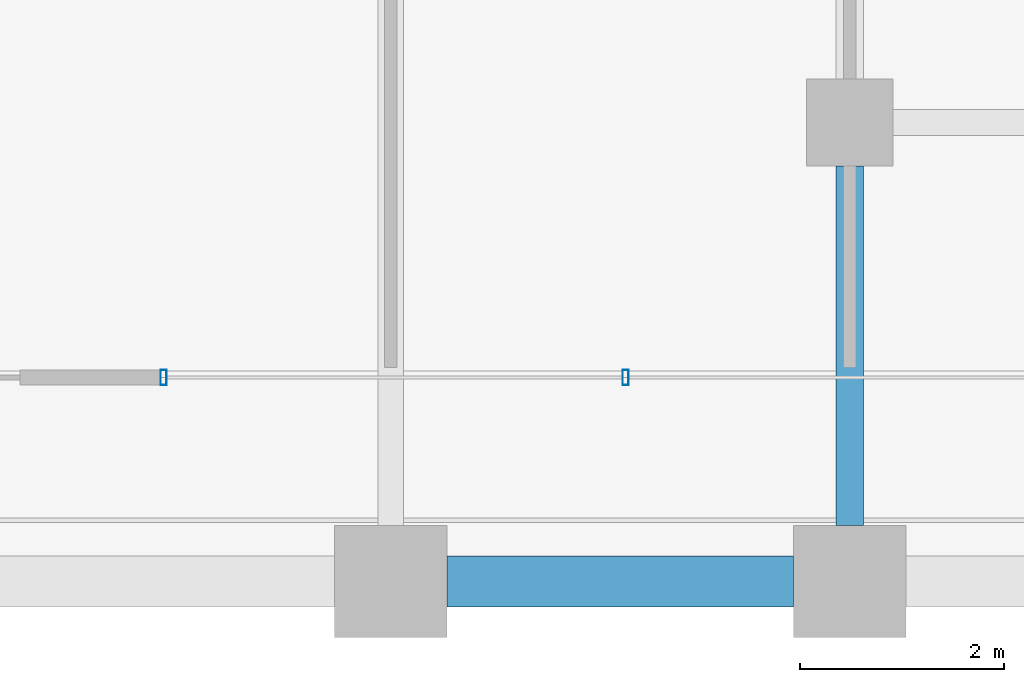
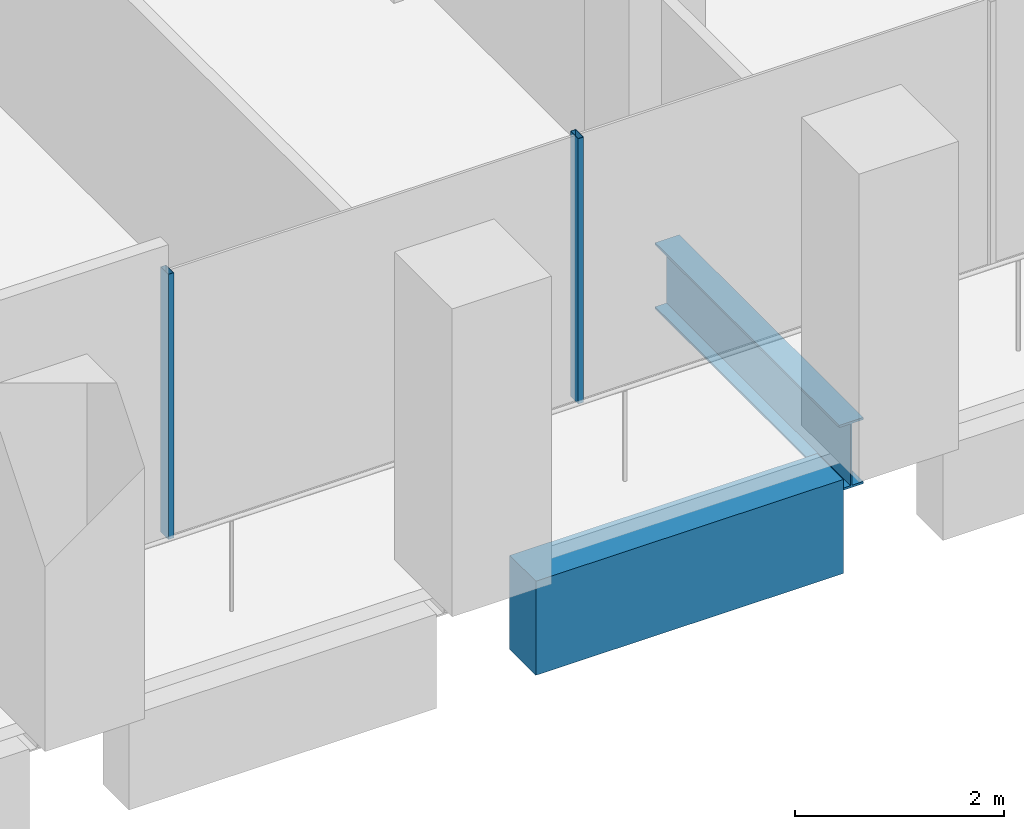
# One storey, part 9 of 56: 2 beams, 2 members, 1 element without a shape of its own.
"""IFC4 building model written with IfcOpenShell, lengths in metres."""

from ifc_helpers import new_model, si_unit, direction, frame, origin, origin_2d, place, context, subcontext, project, spatial, rectangle, hollow_rectangle, i_section, extrude, material, material_profile, profile_set, type_object, element, aggregate, save


model = new_model("IFC4")

# Units and contexts
model_context = context("Model", 3, precision=1e-05, world=origin(), true_north=direction((0.0, 1.0)))
body_context = subcontext(model_context, "Body", "Model", "MODEL_VIEW")
ifc_project = project(units=[si_unit("LENGTHUNIT", "METRE"), si_unit("AREAUNIT", "SQUARE_METRE"), si_unit("VOLUMEUNIT", "CUBIC_METRE"), si_unit("PLANEANGLEUNIT", "RADIAN"), si_unit("MASSUNIT", "GRAM", prefix="KILO")], contexts=[model_context])

# Site, building, storey
site_placement = place(None, origin())
site = spatial("IfcSite", under=ifc_project, at=site_placement, CompositionType="ELEMENT")
building_placement = place(site_placement, origin())
building = spatial("IfcBuilding", under=site, at=building_placement, Name="Altepetl Exchange Towers", CompositionType="ELEMENT")
storey_placement = place(building_placement, frame((0.0, 0.0, 51.0)))
storey = spatial("IfcBuildingStorey", under=building, at=storey_placement, Name="L11", CompositionType="ELEMENT", Elevation=51.0)

# Beam
ifc_material_1 = material(Name="Steel S355", Category="steel")
ifc_material_profile_1 = material_profile(ifc_material_1, i_section(OverallWidth=0.26806640625, OverallDepth=0.77392578125, WebThickness=0.015380859375, FlangeThickness=0.025390625, at=origin_2d()), Name="W30X132")
ifc_profile_set_1 = profile_set([ifc_material_profile_1], Name="Steel S355")
beam_type_1 = type_object("IfcBeamType", Name="Girder W30X132", PredefinedType="BEAM", material=ifc_profile_set_1)
beam_1_placement = place(storey_placement, frame((58.5, 31.074951171875, -0.537109375), z_axis=(0.0, -1.0, 0.0), x_axis=(1.0, 0.0, 0.0)))
element("IfcBeam", 1, at=beam_1_placement, inside=storey, type_object=beam_type_1, Name="gd:A:L11:008", PredefinedType="BEAM", context=body_context, shape_type="SweptSolid", body=[
    extrude(i_section(OverallWidth=0.26806640625, OverallDepth=0.77392578125, WebThickness=0.015380859375, FlangeThickness=0.025390625, at=origin_2d()), origin(), (0.0, 0.0, 1.0), 3.52490234375),
])

# Curtain wall, members
ifc_material_2 = material(Name="Aluminium 6063-T6 glazing", Category="aluminium")
curtain_wall_type = type_object("IfcCurtainWallType", Name="Loggia glazing system", PredefinedType="NOTDEFINED", material=ifc_material_2)
curtain_wall_placement = place(storey_placement, origin())
curtain_wall = element("IfcCurtainWall", 2, at=curtain_wall_placement, inside=storey, type_object=curtain_wall_type, Name="CW1 run", PredefinedType="NOTDEFINED")
ifc_material_3 = material(Name="Aluminium 6063-T6", Category="aluminium")
ifc_material_profile_2 = material_profile(ifc_material_3, hollow_rectangle(XDim=0.06005859375, YDim=0.14990234375, WallThickness=0.0029296875, at=origin_2d()), Name="Mullion 60x150 aluminium")
ifc_profile_set_2 = profile_set([ifc_material_profile_2], Name="Aluminium 6063-T6")
member_type = type_object("IfcMemberType", Name="Mullion 60x150 aluminium", PredefinedType="MULLION", material=ifc_profile_set_2)
member_1_placement = place(storey_placement, frame((51.77294921875, 29.0, 0.0)))
member_1 = element("IfcMember", 3, at=member_1_placement, type_object=member_type, Name="MU1 mullion", PredefinedType="MULLION", context=body_context, shape_type="SweptSolid", body=[
    extrude(hollow_rectangle(XDim=0.06005859375, YDim=0.14990234375, WallThickness=0.0029296875, at=origin_2d()), origin(), (0.0, 0.0, 1.0), 3.10009765625),
])
member_2_placement = place(storey_placement, frame((56.303466796875, 29.0, 0.0)))
member_2 = element("IfcMember", 4, at=member_2_placement, type_object=member_type, Name="MU1 mullion", PredefinedType="MULLION", context=body_context, shape_type="SweptSolid", body=[
    extrude(hollow_rectangle(XDim=0.06005859375, YDim=0.14990234375, WallThickness=0.0029296875, at=origin_2d()), origin(), (0.0, 0.0, 1.0), 3.10009765625),
])
aggregate(curtain_wall, [member_1, member_2])

# Beam
ifc_material_4 = material(Name="Concrete C50/60 precast with cantera blanca facing", Category="concrete")
ifc_material_profile_3 = material_profile(ifc_material_4, rectangle(XDim=0.5, YDim=1.10009765625, at=origin_2d()), Name="500 x 1100")
ifc_profile_set_3 = profile_set([ifc_material_profile_3], Name="Concrete C50/60 precast with cantera blanca facing")
beam_type_2 = type_object("IfcBeamType", Name="Spandrel beam 500x1100 cantera blanca", PredefinedType="SPANDREL", material=ifc_profile_set_3)
beam_2_placement = place(storey_placement, frame((54.550048828125, 27.0, -0.699951171875), z_axis=(1.0, 0.0, 0.0), x_axis=(0.0, 1.0, 0.0)))
element("IfcBeam", 5, at=beam_2_placement, inside=storey, type_object=beam_type_2, Name="sp:A:L11:005", PredefinedType="SPANDREL", context=body_context, shape_type="SweptSolid", body=[
    extrude(rectangle(XDim=0.5, YDim=1.10009765625, at=origin_2d()), origin(), (0.0, 0.0, 1.0), 3.39990234375),
])

save(model, "model.ifc")
